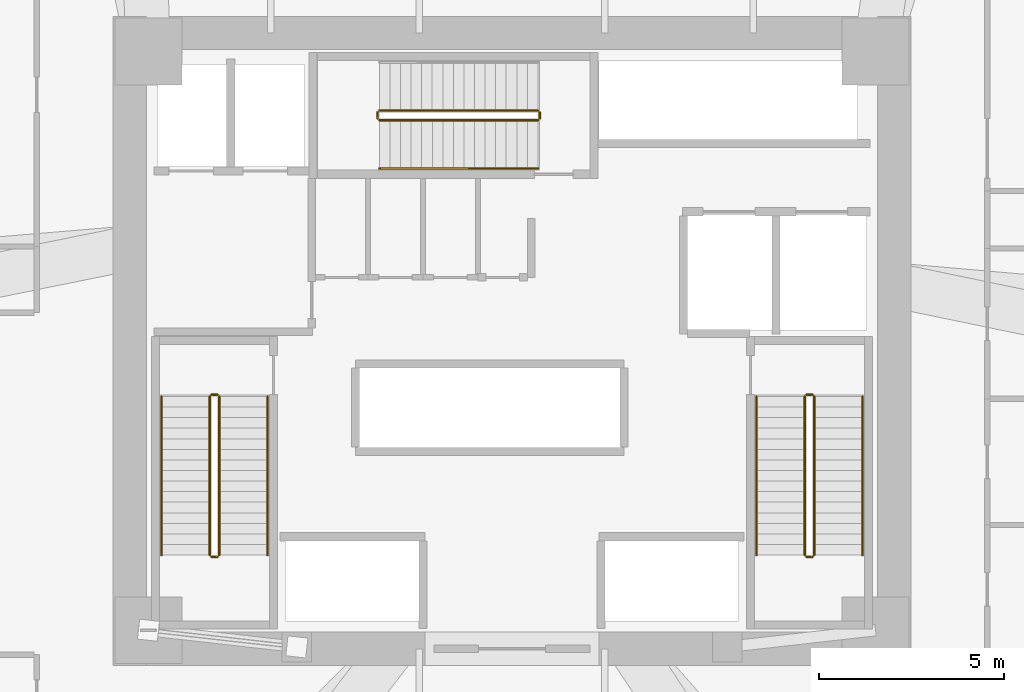
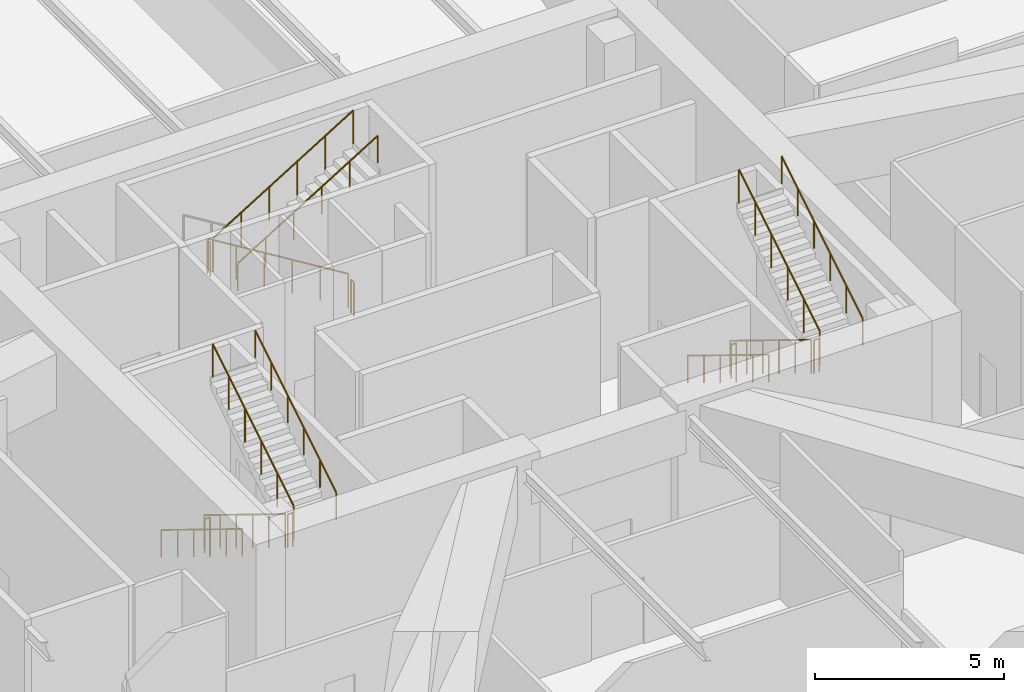
# One storey, part 18 of 19: 17 railings.
"""IFC4 building model written with IfcOpenShell, lengths in metres."""

from ifc_helpers import new_model, si_unit, direction, frame, origin, origin_2d, place, context, subcontext, project, spatial, circle, extrude, material, type_object, element, save


model = new_model("IFC4")

# Units and contexts
model_context = context("Model", 3, precision=1e-05, world=origin(), true_north=direction((0.0, 1.0)))
body_context = subcontext(model_context, "Body", "Model", "MODEL_VIEW")
ifc_project = project(units=[si_unit("LENGTHUNIT", "METRE"), si_unit("AREAUNIT", "SQUARE_METRE"), si_unit("VOLUMEUNIT", "CUBIC_METRE"), si_unit("PLANEANGLEUNIT", "RADIAN"), si_unit("MASSUNIT", "GRAM", prefix="KILO")], contexts=[model_context])

# Site, building, storey
site_placement = place(None, origin())
site = spatial("IfcSite", under=ifc_project, at=site_placement, CompositionType="ELEMENT")
building_placement = place(site_placement, origin())
building = spatial("IfcBuilding", under=site, at=building_placement, Name="Durnholm Broadcast Tower", CompositionType="ELEMENT")
storey_placement = place(building_placement, frame((0.0, 0.0, 26.800048828125)))
storey = spatial("IfcBuildingStorey", under=building, at=storey_placement, Name="L05", CompositionType="ELEMENT", Elevation=26.800048828125)

# Railings
ifc_material_1 = material(Name="Painted Tubular Steel Stair Guardrail", Category="steel")
railing_type_1 = type_object("IfcRailingType", Name="RAIL-ST-GRD", PredefinedType="GUARDRAIL", material=ifc_material_1)
railing_1_placement = place(storey_placement, frame((-8.14990234375, -1.5, 0.175048828125)))
element("IfcRailing", 1, at=railing_1_placement, inside=storey, type_object=railing_type_1, Name="L05 ST-1 stair guard 1", PredefinedType="GUARDRAIL", context=body_context, shape_type="SweptSolid", body=[
    extrude(circle(Radius=0.02392578125, at=origin_2d()), frame((0.0, 0.0, 1.076171875), z_axis=(0.0, -0.852165895541, 0.523271713813), x_axis=(1.0, 0.0, 0.0)), (0.0, 0.0, 1.0), 5.0166015625),
    extrude(circle(Radius=0.02099609375, at=origin_2d()), origin(), (0.0, 0.0, 1.0), 1.052001953125),
    extrude(circle(Radius=0.02099609375, at=origin_2d()), frame((0.0, -0.85498046875, 0.52490234375)), (0.0, 0.0, 1.0), 1.052001953125),
    extrude(circle(Radius=0.02099609375, at=origin_2d()), frame((0.0, -1.7099609375, 1.050048828125)), (0.0, 0.0, 1.0), 1.052001953125),
    extrude(circle(Radius=0.02099609375, at=origin_2d()), frame((0.0, -2.56494140625, 1.574951171875)), (0.0, 0.0, 1.0), 1.052001953125),
    extrude(circle(Radius=0.02099609375, at=origin_2d()), frame((0.0, -3.419921875, 2.10009765625)), (0.0, 0.0, 1.0), 1.052001953125),
    extrude(circle(Radius=0.02099609375, at=origin_2d()), frame((0.0, -4.27490234375, 2.625)), (0.0, 0.0, 1.0), 1.052001953125),
])
railing_2_placement = place(storey_placement, frame((-8.10009765625, -5.824951171875, 2.800048828125)))
element("IfcRailing", 2, at=railing_2_placement, inside=storey, type_object=railing_type_1, Name="L05 ST-1 stair guard 2", PredefinedType="GUARDRAIL", context=body_context, shape_type="SweptSolid", body=[
    extrude(circle(Radius=0.02392578125, at=origin_2d()), frame((0.0, 0.0, 1.076171875), z_axis=(1.0, 0.0, 0.0), x_axis=(0.0, 1.0, 0.0)), (0.0, 0.0, 1.0), 0.16015625),
    extrude(circle(Radius=0.02099609375, at=origin_2d()), origin(), (0.0, 0.0, 1.0), 1.052001953125),
    extrude(circle(Radius=0.02099609375, at=origin_2d()), frame((0.16015625, 0.0, 0.0)), (0.0, 0.0, 1.0), 1.052001953125),
])
railing_3_placement = place(storey_placement, frame((-7.889892578125, -5.77490234375, 2.974853515625)))
element("IfcRailing", 3, at=railing_3_placement, inside=storey, type_object=railing_type_1, Name="L05 ST-1 stair guard 3", PredefinedType="GUARDRAIL", context=body_context, shape_type="SweptSolid", body=[
    extrude(circle(Radius=0.02392578125, at=origin_2d()), frame((0.0, 0.0, 1.076171875), z_axis=(0.0, 0.852165895541, 0.523271713813), x_axis=(-1.0, 0.0, 0.0)), (0.0, 0.0, 1.0), 5.0166015625),
    extrude(circle(Radius=0.02099609375, at=origin_2d()), origin(), (0.0, 0.0, 1.0), 1.052001953125),
    extrude(circle(Radius=0.02099609375, at=origin_2d()), frame((0.0, 0.85498046875, 0.52490234375)), (0.0, 0.0, 1.0), 1.052001953125),
    extrude(circle(Radius=0.02099609375, at=origin_2d()), frame((0.0, 1.7099609375, 1.050048828125)), (0.0, 0.0, 1.0), 1.052001953125),
    extrude(circle(Radius=0.02099609375, at=origin_2d()), frame((0.0, 2.56494140625, 1.574951171875)), (0.0, 0.0, 1.0), 1.052001953125),
    extrude(circle(Radius=0.02099609375, at=origin_2d()), frame((0.0, 3.419921875, 2.10009765625)), (0.0, 0.0, 1.0), 1.052001953125),
    extrude(circle(Radius=0.02099609375, at=origin_2d()), frame((0.0, 4.27490234375, 2.625)), (0.0, 0.0, 1.0), 1.052001953125),
])
railing_4_placement = place(storey_placement, frame((-8.10009765625, -1.449951171875, 0.0)))
element("IfcRailing", 4, at=railing_4_placement, inside=storey, type_object=railing_type_1, Name="L05 ST-1 stair guard 4", PredefinedType="GUARDRAIL", context=body_context, shape_type="SweptSolid", body=[
    extrude(circle(Radius=0.02392578125, at=origin_2d()), frame((0.0, 0.0, 1.076171875), z_axis=(1.0, 0.0, 0.0), x_axis=(0.0, 1.0, 0.0)), (0.0, 0.0, 1.0), 0.16015625),
    extrude(circle(Radius=0.02099609375, at=origin_2d()), origin(), (0.0, 0.0, 1.0), 1.052001953125),
    extrude(circle(Radius=0.02099609375, at=origin_2d()), frame((0.16015625, 0.0, 0.0)), (0.0, 0.0, 1.0), 1.052001953125),
])
railing_5_placement = place(storey_placement, frame((7.889892578125, -1.5, 0.175048828125)))
element("IfcRailing", 5, at=railing_5_placement, inside=storey, type_object=railing_type_1, Name="L05 ST-2 stair guard 1", PredefinedType="GUARDRAIL", context=body_context, shape_type="SweptSolid", body=[
    extrude(circle(Radius=0.02392578125, at=origin_2d()), frame((0.0, 0.0, 1.076171875), z_axis=(0.0, -0.852165895541, 0.523271713813), x_axis=(1.0, 0.0, 0.0)), (0.0, 0.0, 1.0), 5.0166015625),
    extrude(circle(Radius=0.02099609375, at=origin_2d()), origin(), (0.0, 0.0, 1.0), 1.052001953125),
    extrude(circle(Radius=0.02099609375, at=origin_2d()), frame((0.0, -0.85498046875, 0.52490234375)), (0.0, 0.0, 1.0), 1.052001953125),
    extrude(circle(Radius=0.02099609375, at=origin_2d()), frame((0.0, -1.7099609375, 1.050048828125)), (0.0, 0.0, 1.0), 1.052001953125),
    extrude(circle(Radius=0.02099609375, at=origin_2d()), frame((0.0, -2.56494140625, 1.574951171875)), (0.0, 0.0, 1.0), 1.052001953125),
    extrude(circle(Radius=0.02099609375, at=origin_2d()), frame((0.0, -3.419921875, 2.10009765625)), (0.0, 0.0, 1.0), 1.052001953125),
    extrude(circle(Radius=0.02099609375, at=origin_2d()), frame((0.0, -4.27490234375, 2.625)), (0.0, 0.0, 1.0), 1.052001953125),
])
railing_6_placement = place(storey_placement, frame((7.93994140625, -5.824951171875, 2.800048828125)))
element("IfcRailing", 6, at=railing_6_placement, inside=storey, type_object=railing_type_1, Name="L05 ST-2 stair guard 2", PredefinedType="GUARDRAIL", context=body_context, shape_type="SweptSolid", body=[
    extrude(circle(Radius=0.02392578125, at=origin_2d()), frame((0.0, 0.0, 1.076171875), z_axis=(1.0, 0.0, 0.0), x_axis=(0.0, 1.0, 0.0)), (0.0, 0.0, 1.0), 0.16015625),
    extrude(circle(Radius=0.02099609375, at=origin_2d()), origin(), (0.0, 0.0, 1.0), 1.052001953125),
    extrude(circle(Radius=0.02099609375, at=origin_2d()), frame((0.16015625, 0.0, 0.0)), (0.0, 0.0, 1.0), 1.052001953125),
])
railing_7_placement = place(storey_placement, frame((8.14990234375, -5.77490234375, 2.974853515625)))
element("IfcRailing", 7, at=railing_7_placement, inside=storey, type_object=railing_type_1, Name="L05 ST-2 stair guard 3", PredefinedType="GUARDRAIL", context=body_context, shape_type="SweptSolid", body=[
    extrude(circle(Radius=0.02392578125, at=origin_2d()), frame((0.0, 0.0, 1.076171875), z_axis=(0.0, 0.852165895541, 0.523271713813), x_axis=(-1.0, 0.0, 0.0)), (0.0, 0.0, 1.0), 5.0166015625),
    extrude(circle(Radius=0.02099609375, at=origin_2d()), origin(), (0.0, 0.0, 1.0), 1.052001953125),
    extrude(circle(Radius=0.02099609375, at=origin_2d()), frame((0.0, 0.85498046875, 0.52490234375)), (0.0, 0.0, 1.0), 1.052001953125),
    extrude(circle(Radius=0.02099609375, at=origin_2d()), frame((0.0, 1.7099609375, 1.050048828125)), (0.0, 0.0, 1.0), 1.052001953125),
    extrude(circle(Radius=0.02099609375, at=origin_2d()), frame((0.0, 2.56494140625, 1.574951171875)), (0.0, 0.0, 1.0), 1.052001953125),
    extrude(circle(Radius=0.02099609375, at=origin_2d()), frame((0.0, 3.419921875, 2.10009765625)), (0.0, 0.0, 1.0), 1.052001953125),
    extrude(circle(Radius=0.02099609375, at=origin_2d()), frame((0.0, 4.27490234375, 2.625)), (0.0, 0.0, 1.0), 1.052001953125),
])
railing_8_placement = place(storey_placement, frame((7.93994140625, -1.449951171875, 0.0)))
element("IfcRailing", 8, at=railing_8_placement, inside=storey, type_object=railing_type_1, Name="L05 ST-2 stair guard 4", PredefinedType="GUARDRAIL", context=body_context, shape_type="SweptSolid", body=[
    extrude(circle(Radius=0.02392578125, at=origin_2d()), frame((0.0, 0.0, 1.076171875), z_axis=(1.0, 0.0, 0.0), x_axis=(0.0, 1.0, 0.0)), (0.0, 0.0, 1.0), 0.16015625),
    extrude(circle(Radius=0.02099609375, at=origin_2d()), origin(), (0.0, 0.0, 1.0), 1.052001953125),
    extrude(circle(Radius=0.02099609375, at=origin_2d()), frame((0.16015625, 0.0, 0.0)), (0.0, 0.0, 1.0), 1.052001953125),
])
railing_9_placement = place(storey_placement, frame((0.699951171875, 6.2099609375, 0.175048828125)))
element("IfcRailing", 9, at=railing_9_placement, inside=storey, type_object=railing_type_1, Name="L05 ST-3 stair guard 1", PredefinedType="GUARDRAIL", context=body_context, shape_type="SweptSolid", body=[
    extrude(circle(Radius=0.02392578125, at=origin_2d()), frame((0.0, 0.0, 1.076171875), z_axis=(-0.852165895541, 0.0, 0.523271713813), x_axis=(0.0, -1.0, 0.0)), (0.0, 0.0, 1.0), 5.0166015625),
    extrude(circle(Radius=0.02099609375, at=origin_2d()), origin(), (0.0, 0.0, 1.0), 1.052001953125),
    extrude(circle(Radius=0.02099609375, at=origin_2d()), frame((-0.85498046875, 0.0, 0.52490234375)), (0.0, 0.0, 1.0), 1.052001953125),
    extrude(circle(Radius=0.02099609375, at=origin_2d()), frame((-1.7099609375, 0.0, 1.050048828125)), (0.0, 0.0, 1.0), 1.052001953125),
    extrude(circle(Radius=0.02099609375, at=origin_2d()), frame((-2.56494140625, 0.0, 1.574951171875)), (0.0, 0.0, 1.0), 1.052001953125),
    extrude(circle(Radius=0.02099609375, at=origin_2d()), frame((-3.419921875, 0.0, 2.10009765625)), (0.0, 0.0, 1.0), 1.052001953125),
    extrude(circle(Radius=0.02099609375, at=origin_2d()), frame((-4.27490234375, 0.0, 2.625)), (0.0, 0.0, 1.0), 1.052001953125),
])
railing_10_placement = place(storey_placement, frame((-3.625, 6.159912109375, 2.800048828125)))
element("IfcRailing", 10, at=railing_10_placement, inside=storey, type_object=railing_type_1, Name="L05 ST-3 stair guard 2", PredefinedType="GUARDRAIL", context=body_context, shape_type="SweptSolid", body=[
    extrude(circle(Radius=0.02392578125, at=origin_2d()), frame((0.0, 0.0, 1.076171875), z_axis=(0.0, -1.0, 0.0), x_axis=(1.0, 0.0, 0.0)), (0.0, 0.0, 1.0), 0.159912109375),
    extrude(circle(Radius=0.02099609375, at=origin_2d()), origin(), (0.0, 0.0, 1.0), 1.052001953125),
    extrude(circle(Radius=0.02099609375, at=origin_2d()), frame((0.0, -0.159912109375, 0.0)), (0.0, 0.0, 1.0), 1.052001953125),
])
railing_11_placement = place(storey_placement, frame((-3.574951171875, 5.949951171875, 2.974853515625)))
element("IfcRailing", 11, at=railing_11_placement, inside=storey, type_object=railing_type_1, Name="L05 ST-3 stair guard 3", PredefinedType="GUARDRAIL", context=body_context, shape_type="SweptSolid", body=[
    extrude(circle(Radius=0.02392578125, at=origin_2d()), frame((0.0, 0.0, 1.076171875), z_axis=(0.852165895541, 0.0, 0.523271713813), x_axis=(0.0, 1.0, 0.0)), (0.0, 0.0, 1.0), 5.0166015625),
    extrude(circle(Radius=0.02099609375, at=origin_2d()), origin(), (0.0, 0.0, 1.0), 1.052001953125),
    extrude(circle(Radius=0.02099609375, at=origin_2d()), frame((0.85498046875, 0.0, 0.52490234375)), (0.0, 0.0, 1.0), 1.052001953125),
    extrude(circle(Radius=0.02099609375, at=origin_2d()), frame((1.7099609375, 0.0, 1.050048828125)), (0.0, 0.0, 1.0), 1.052001953125),
    extrude(circle(Radius=0.02099609375, at=origin_2d()), frame((2.56494140625, 0.0, 1.574951171875)), (0.0, 0.0, 1.0), 1.052001953125),
    extrude(circle(Radius=0.02099609375, at=origin_2d()), frame((3.419921875, 0.0, 2.10009765625)), (0.0, 0.0, 1.0), 1.052001953125),
    extrude(circle(Radius=0.02099609375, at=origin_2d()), frame((4.27490234375, 0.0, 2.625)), (0.0, 0.0, 1.0), 1.052001953125),
])
railing_12_placement = place(storey_placement, frame((0.75, 6.159912109375, 0.0)))
element("IfcRailing", 12, at=railing_12_placement, inside=storey, type_object=railing_type_1, Name="L05 ST-3 stair guard 4", PredefinedType="GUARDRAIL", context=body_context, shape_type="SweptSolid", body=[
    extrude(circle(Radius=0.02392578125, at=origin_2d()), frame((0.0, 0.0, 1.076171875), z_axis=(0.0, -1.0, 0.0), x_axis=(1.0, 0.0, 0.0)), (0.0, 0.0, 1.0), 0.159912109375),
    extrude(circle(Radius=0.02099609375, at=origin_2d()), origin(), (0.0, 0.0, 1.0), 1.052001953125),
    extrude(circle(Radius=0.02099609375, at=origin_2d()), frame((0.0, -0.159912109375, 0.0)), (0.0, 0.0, 1.0), 1.052001953125),
])
ifc_material_2 = material(Name="Brushed Stainless Steel Handrail", Category="steel")
railing_type_2 = type_object("IfcRailingType", Name="RAIL-ST-HND", PredefinedType="HANDRAIL", material=ifc_material_2)
railing_13_placement = place(storey_placement, frame((-9.449951171875, -1.5, 0.349853515625)))
element("IfcRailing", 13, at=railing_13_placement, inside=storey, type_object=railing_type_2, Name="L05 ST-1 stair handrail 1", PredefinedType="HANDRAIL", context=body_context, shape_type="SweptSolid", body=[
    extrude(circle(Radius=0.02392578125, at=origin_2d()), frame((0.0, 0.0, 0.8759765625), z_axis=(0.0, -0.852165895541, 0.523271713813), x_axis=(1.0, 0.0, 0.0)), (0.0, 0.0, 1.0), 5.0166015625),
    extrude(circle(Radius=0.02099609375, at=origin_2d()), origin(), (0.0, 0.0, 1.0), 0.851806640625),
    extrude(circle(Radius=0.02099609375, at=origin_2d()), frame((0.0, -0.85498046875, 0.52490234375)), (0.0, 0.0, 1.0), 0.851806640625),
    extrude(circle(Radius=0.02099609375, at=origin_2d()), frame((0.0, -1.7099609375, 1.050048828125)), (0.0, 0.0, 1.0), 0.851806640625),
    extrude(circle(Radius=0.02099609375, at=origin_2d()), frame((0.0, -2.56494140625, 1.574951171875)), (0.0, 0.0, 1.0), 0.851806640625),
    extrude(circle(Radius=0.02099609375, at=origin_2d()), frame((0.0, -3.419921875, 2.10009765625)), (0.0, 0.0, 1.0), 0.851806640625),
    extrude(circle(Radius=0.02099609375, at=origin_2d()), frame((0.0, -4.27490234375, 2.625)), (0.0, 0.0, 1.0), 0.851806640625),
])
railing_14_placement = place(storey_placement, frame((-6.590087890625, -5.77490234375, 3.14990234375)))
element("IfcRailing", 14, at=railing_14_placement, inside=storey, type_object=railing_type_2, Name="L05 ST-1 stair handrail 2", PredefinedType="HANDRAIL", context=body_context, shape_type="SweptSolid", body=[
    extrude(circle(Radius=0.02392578125, at=origin_2d()), frame((0.0, 0.0, 0.8759765625), z_axis=(0.0, 0.852165895541, 0.523271713813), x_axis=(-1.0, 0.0, 0.0)), (0.0, 0.0, 1.0), 5.0166015625),
    extrude(circle(Radius=0.02099609375, at=origin_2d()), origin(), (0.0, 0.0, 1.0), 0.851806640625),
    extrude(circle(Radius=0.02099609375, at=origin_2d()), frame((0.0, 0.85498046875, 0.52490234375)), (0.0, 0.0, 1.0), 0.851806640625),
    extrude(circle(Radius=0.02099609375, at=origin_2d()), frame((0.0, 1.7099609375, 1.050048828125)), (0.0, 0.0, 1.0), 0.851806640625),
    extrude(circle(Radius=0.02099609375, at=origin_2d()), frame((0.0, 2.56494140625, 1.574951171875)), (0.0, 0.0, 1.0), 0.851806640625),
    extrude(circle(Radius=0.02099609375, at=origin_2d()), frame((0.0, 3.419921875, 2.10009765625)), (0.0, 0.0, 1.0), 0.851806640625),
    extrude(circle(Radius=0.02099609375, at=origin_2d()), frame((0.0, 4.27490234375, 2.625)), (0.0, 0.0, 1.0), 0.851806640625),
])
railing_15_placement = place(storey_placement, frame((6.590087890625, -1.5, 0.349853515625)))
element("IfcRailing", 15, at=railing_15_placement, inside=storey, type_object=railing_type_2, Name="L05 ST-2 stair handrail 1", PredefinedType="HANDRAIL", context=body_context, shape_type="SweptSolid", body=[
    extrude(circle(Radius=0.02392578125, at=origin_2d()), frame((0.0, 0.0, 0.8759765625), z_axis=(0.0, -0.852165895541, 0.523271713813), x_axis=(1.0, 0.0, 0.0)), (0.0, 0.0, 1.0), 5.0166015625),
    extrude(circle(Radius=0.02099609375, at=origin_2d()), origin(), (0.0, 0.0, 1.0), 0.851806640625),
    extrude(circle(Radius=0.02099609375, at=origin_2d()), frame((0.0, -0.85498046875, 0.52490234375)), (0.0, 0.0, 1.0), 0.851806640625),
    extrude(circle(Radius=0.02099609375, at=origin_2d()), frame((0.0, -1.7099609375, 1.050048828125)), (0.0, 0.0, 1.0), 0.851806640625),
    extrude(circle(Radius=0.02099609375, at=origin_2d()), frame((0.0, -2.56494140625, 1.574951171875)), (0.0, 0.0, 1.0), 0.851806640625),
    extrude(circle(Radius=0.02099609375, at=origin_2d()), frame((0.0, -3.419921875, 2.10009765625)), (0.0, 0.0, 1.0), 0.851806640625),
    extrude(circle(Radius=0.02099609375, at=origin_2d()), frame((0.0, -4.27490234375, 2.625)), (0.0, 0.0, 1.0), 0.851806640625),
])
railing_16_placement = place(storey_placement, frame((9.449951171875, -5.77490234375, 3.14990234375)))
element("IfcRailing", 16, at=railing_16_placement, inside=storey, type_object=railing_type_2, Name="L05 ST-2 stair handrail 2", PredefinedType="HANDRAIL", context=body_context, shape_type="SweptSolid", body=[
    extrude(circle(Radius=0.02392578125, at=origin_2d()), frame((0.0, 0.0, 0.8759765625), z_axis=(0.0, 0.852165895541, 0.523271713813), x_axis=(-1.0, 0.0, 0.0)), (0.0, 0.0, 1.0), 5.0166015625),
    extrude(circle(Radius=0.02099609375, at=origin_2d()), origin(), (0.0, 0.0, 1.0), 0.851806640625),
    extrude(circle(Radius=0.02099609375, at=origin_2d()), frame((0.0, 0.85498046875, 0.52490234375)), (0.0, 0.0, 1.0), 0.851806640625),
    extrude(circle(Radius=0.02099609375, at=origin_2d()), frame((0.0, 1.7099609375, 1.050048828125)), (0.0, 0.0, 1.0), 0.851806640625),
    extrude(circle(Radius=0.02099609375, at=origin_2d()), frame((0.0, 2.56494140625, 1.574951171875)), (0.0, 0.0, 1.0), 0.851806640625),
    extrude(circle(Radius=0.02099609375, at=origin_2d()), frame((0.0, 3.419921875, 2.10009765625)), (0.0, 0.0, 1.0), 0.851806640625),
    extrude(circle(Radius=0.02099609375, at=origin_2d()), frame((0.0, 4.27490234375, 2.625)), (0.0, 0.0, 1.0), 0.851806640625),
])
railing_17_placement = place(storey_placement, frame((-3.574951171875, 4.64990234375, 3.14990234375)))
element("IfcRailing", 17, at=railing_17_placement, inside=storey, type_object=railing_type_2, Name="L05 ST-3 stair handrail 2", PredefinedType="HANDRAIL", context=body_context, shape_type="SweptSolid", body=[
    extrude(circle(Radius=0.02392578125, at=origin_2d()), frame((0.0, 0.0, 0.8759765625), z_axis=(0.852165895541, 0.0, 0.523271713813), x_axis=(0.0, 1.0, 0.0)), (0.0, 0.0, 1.0), 5.0166015625),
    extrude(circle(Radius=0.02099609375, at=origin_2d()), origin(), (0.0, 0.0, 1.0), 0.851806640625),
    extrude(circle(Radius=0.02099609375, at=origin_2d()), frame((0.85498046875, 0.0, 0.52490234375)), (0.0, 0.0, 1.0), 0.851806640625),
    extrude(circle(Radius=0.02099609375, at=origin_2d()), frame((1.7099609375, 0.0, 1.050048828125)), (0.0, 0.0, 1.0), 0.851806640625),
    extrude(circle(Radius=0.02099609375, at=origin_2d()), frame((2.56494140625, 0.0, 1.574951171875)), (0.0, 0.0, 1.0), 0.851806640625),
    extrude(circle(Radius=0.02099609375, at=origin_2d()), frame((3.419921875, 0.0, 2.10009765625)), (0.0, 0.0, 1.0), 0.851806640625),
    extrude(circle(Radius=0.02099609375, at=origin_2d()), frame((4.27490234375, 0.0, 2.625)), (0.0, 0.0, 1.0), 0.851806640625),
])

save(model, "model.ifc")
